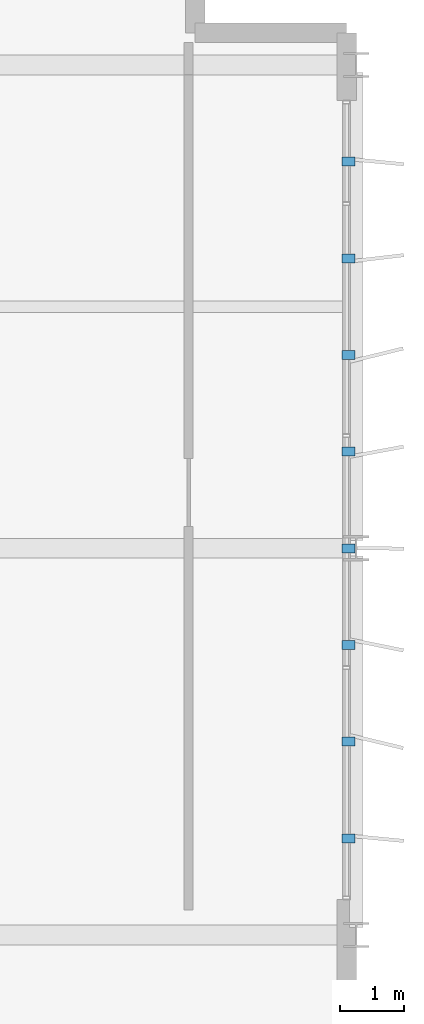
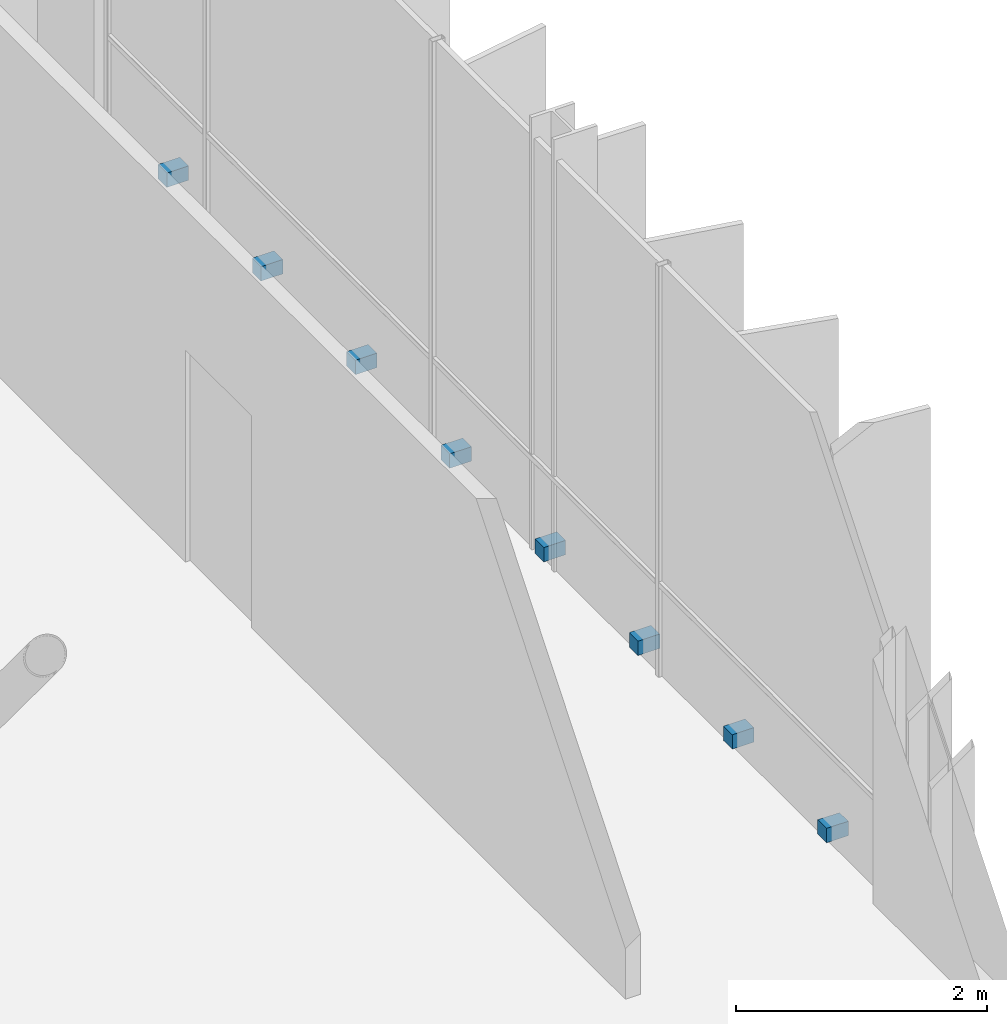
# One storey, part 30 of 33: 8 discrete accessories.
"""IFC4 building model written with IfcOpenShell, lengths in metres."""

from ifc_helpers import new_model, si_unit, direction, frame, origin, origin_2d, place, context, subcontext, project, spatial, rectangle, extrude, material, type_object, element, save


model = new_model("IFC4")

# Units and contexts
model_context = context("Model", 3, precision=1e-05, world=origin(), true_north=direction((0.0, 1.0)))
body_context = subcontext(model_context, "Body", "Model", "MODEL_VIEW")
ifc_project = project(units=[si_unit("LENGTHUNIT", "METRE"), si_unit("AREAUNIT", "SQUARE_METRE"), si_unit("VOLUMEUNIT", "CUBIC_METRE"), si_unit("PLANEANGLEUNIT", "RADIAN"), si_unit("MASSUNIT", "GRAM", prefix="KILO")], contexts=[model_context])

# Site, building, storey
site_placement = place(None, origin())
site = spatial("IfcSite", under=ifc_project, at=site_placement, CompositionType="ELEMENT")
building_placement = place(site_placement, origin())
building = spatial("IfcBuilding", under=site, at=building_placement, Name="Brevholm Reach", CompositionType="ELEMENT")
storey_placement = place(building_placement, frame((0.0, 0.0, 179.0)))
storey = spatial("IfcBuildingStorey", under=building, at=storey_placement, Name="L54", CompositionType="ELEMENT", Elevation=179.0)

# Discrete accessories
ifc_material = material(Name="Duplex Stainless Steel EN 1.4462", Category="steel")
discrete_accessory_type = type_object("IfcDiscreteAccessoryType", Name="ACC-BRK-01", PredefinedType="BRACKET", material=ifc_material)
for number, where, z_axis, x_axis, name in (
    (1, (59.8798828125, 11.5, 0.0302734375), (0.0, 0.0, 1.0), (1.0, 0.0, 0.0), "L54 Solar Screen Support Bracket 1"),
    (2, (59.8798828125, 13.0, 0.0302734375), (0.0, 0.0, 1.0), (1.0, 0.0, 0.0), "L54 Solar Screen Support Bracket 2"),
    (3, (59.8798828125, 14.5, 0.0302734375), (0.0, 0.0, 1.0), (1.0, 0.0, 0.0), "L54 Solar Screen Support Bracket 3"),
    (4, (59.8798828125, 16.0, 0.0302734375), (0.0, 0.0, 1.0), (1.0, 0.0, 0.0), "L54 Solar Screen Support Bracket 4"),
    (5, (59.8798828125, 17.5, 0.0302734375), (0.0, 0.0, 1.0), (1.0, 0.0, 0.0), "L54 Solar Screen Support Bracket 5"),
    (6, (59.8798828125, 19.0, 0.0302734375), (0.0, 0.0, 1.0), (1.0, 0.0, 0.0), "L54 Solar Screen Support Bracket 6"),
    (7, (59.8798828125, 20.5, 0.0302734375), (0.0, 0.0, 1.0), (1.0, 0.0, 0.0), "L54 Solar Screen Support Bracket 7"),
    (8, (59.8798828125, 22.0, 0.0302734375), (0.0, 0.0, 1.0), (1.0, 0.0, 0.0), "L54 Solar Screen Support Bracket 8"),
):
    element("IfcDiscreteAccessory", number, at=place(storey_placement, frame(where, z_axis=z_axis, x_axis=x_axis)), inside=storey, type_object=discrete_accessory_type, Name=name, PredefinedType="BRACKET", context=body_context, shape_type="SweptSolid", body=[
        extrude(rectangle(XDim=0.199951171875, YDim=0.139892578125, at=origin_2d()), origin(), (0.0, 0.0, 1.0), 0.139892578125),
    ])

save(model, "model.ifc")
